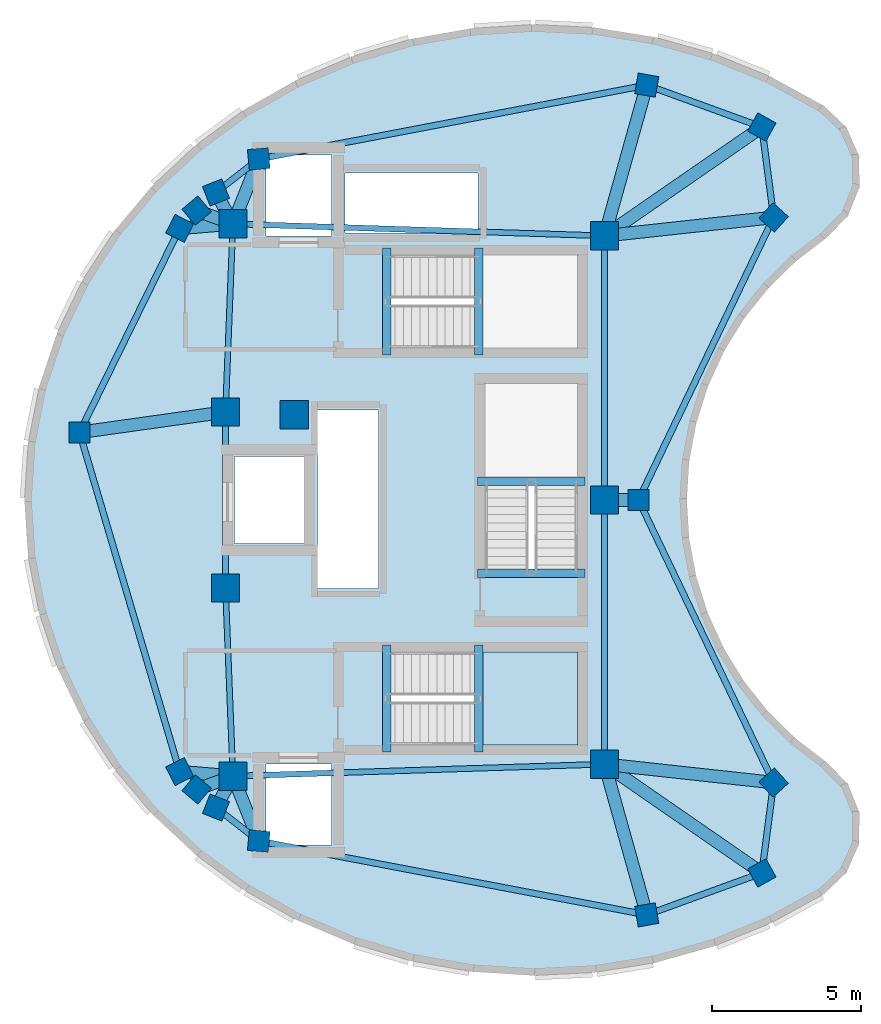
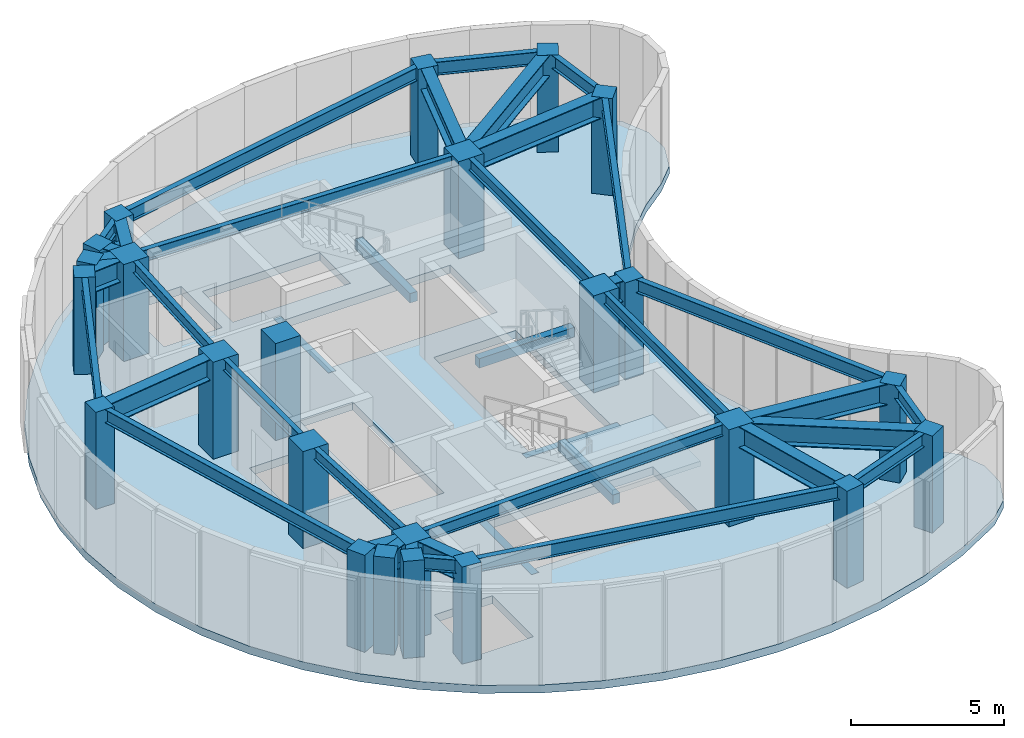
# One storey, part 1 of 5: 41 beams, 24 columns, 2 slabs, 1 element without a shape of its own.
"""IFC4 building model written with IfcOpenShell, lengths in metres."""

from ifc_helpers import new_model, si_unit, direction, frame, origin, origin_2d, place, context, subcontext, project, spatial, polyline, rectangle, i_section, outline, extrude, material, layer, layer_set, material_profile, profile_set, type_object, element, aggregate, save


model = new_model("IFC4")

# Units and contexts
model_context = context("Model", 3, precision=1e-05, world=origin(), true_north=direction((0.0, 1.0)))
body_context = subcontext(model_context, "Body", "Model", "MODEL_VIEW")
ifc_project = project(units=[si_unit("LENGTHUNIT", "METRE"), si_unit("AREAUNIT", "SQUARE_METRE"), si_unit("VOLUMEUNIT", "CUBIC_METRE"), si_unit("PLANEANGLEUNIT", "RADIAN"), si_unit("MASSUNIT", "GRAM", prefix="KILO")], contexts=[model_context])

# Site, building, storey
site_placement = place(None, origin())
site = spatial("IfcSite", under=ifc_project, at=site_placement, CompositionType="ELEMENT")
building_placement = place(site_placement, origin())
building = spatial("IfcBuilding", under=site, at=building_placement, Name="Korentha Bioscience Tower", CompositionType="ELEMENT")
storey_placement = place(building_placement, frame((0.0, 0.0, 335.39990234375)))
storey = spatial("IfcBuildingStorey", under=building, at=storey_placement, Name="L77", CompositionType="ELEMENT", Elevation=335.39990234375)

# Columns
ifc_material_1 = material(Name="Concrete C65", Category="concrete")
ifc_material_profile_1 = material_profile(ifc_material_1, rectangle(XDim=0.949951171875, YDim=0.949951171875, at=origin_2d()), Name="Concrete C65")
ifc_profile_set_1 = profile_set([ifc_material_profile_1], Name="Concrete C65 (COL-CP09)")
column_type_1 = type_object("IfcColumnType", Name="Core Pilaster Column RC 950x950", PredefinedType="PILASTER", material=ifc_profile_set_1)
for number, where, z_axis, x_axis, name in (
    (1, (37.550048828125, 35.85009765625, -0.00048828125), (0.0, 0.0, 1.0), (1.0, 0.0, 0.0), "L77 Core Pilaster CP-01"),
    (2, (25.10009765625, 36.25, -0.00048828125), (0.0, 0.0, 1.0), (1.0, 0.0, 0.0), "L77 Core Pilaster CP-02"),
    (3, (24.85009765625, 29.949951171875, -0.00048828125), (0.0, 0.0, 1.0), (1.0, 0.0, 0.0), "L77 Core Pilaster CP-03"),
    (4, (27.14990234375, 29.85009765625, -0.00048828125), (0.0, 0.0, 1.0), (1.0, 0.0, 0.0), "L77 Core Pilaster CP-04"),
    (5, (24.85009765625, 24.050048828125, -0.00048828125), (0.0, 0.0, 1.0), (1.0, 0.0, 0.0), "L77 Core Pilaster CP-05"),
    (6, (25.10009765625, 17.75, -0.00048828125), (0.0, 0.0, 1.0), (1.0, 0.0, 0.0), "L77 Core Pilaster CP-06"),
    (7, (37.550048828125, 18.14990234375, -0.00048828125), (0.0, 0.0, 1.0), (1.0, 0.0, 0.0), "L77 Core Pilaster CP-07"),
    (8, (37.550048828125, 27.0, -0.00048828125), (0.0, 0.0, 1.0), (1.0, 0.0, 0.0), "L77 Core Pilaster CP-08"),
):
    element("IfcColumn", number, at=place(storey_placement, frame(where, z_axis=z_axis, x_axis=x_axis)), inside=storey, type_object=column_type_1, Name=name, PredefinedType="PILASTER", context=body_context, shape_type="SweptSolid", body=[
        extrude(rectangle(XDim=0.949951171875, YDim=0.949951171875, at=origin_2d()), origin(), (0.0, 0.0, 1.0), 3.881103515625),
    ])
ifc_material_2 = material(Name="Concrete C50", Category="concrete")
ifc_material_profile_2 = material_profile(ifc_material_2, rectangle(XDim=0.699951171875, YDim=0.699951171875, at=origin_2d()), Name="Concrete C50")
ifc_profile_set_2 = profile_set([ifc_material_profile_2], Name="Concrete C50 (COL-P07)")
column_type_2 = type_object("IfcColumnType", Name="Perimeter Column RC 700x700", PredefinedType="COLUMN", material=ifc_profile_set_2)
for number, where, z_axis, x_axis, name in (
    (9, (42.8193359375, 39.493896484375, -0.00048828125), (0.0, 0.0, 1.0), (-0.874535078577, 0.484962262797, 0.0), "L77 Perimeter Column 01"),
    (10, (38.962646484375, 40.898193359375, -0.00048828125), (0.0, 0.0, 1.0), (-0.984868307662, 0.173304404339, 0.0), "L77 Perimeter Column 02"),
    (11, (25.9658203125, 38.424560546875, -0.00048828125), (0.0, 0.0, 1.0), (0.995462868748, 0.095150811579, 0.0), "L77 Perimeter Column 03"),
    (12, (24.53271484375, 37.302490234375, -0.00048828125), (0.0, 0.0, 1.0), (0.930225540858, 0.366988341962, 0.0), "L77 Perimeter Column 04"),
    (13, (23.883056640625, 36.6953125, -0.00048828125), (0.0, 0.0, 1.0), (0.764246456939, 0.644924300253, 0.0), "L77 Perimeter Column 05"),
    (14, (23.314697265625, 36.097900390625, -0.00048828125), (0.0, 0.0, 1.0), (0.453057191132, 0.891481453292, 0.0), "L77 Perimeter Column 06"),
    (15, (19.96044921875, 29.26416015625, -0.00048828125), (0.0, 0.0, 1.0), (0.0, 1.0, 0.0), "L77 Perimeter Column 07"),
    (16, (23.314697265625, 17.902099609375, -0.00048828125), (0.0, 0.0, 1.0), (-0.453057191132, 0.891481453292, 0.0), "L77 Perimeter Column 08"),
    (17, (23.883056640625, 17.3046875, -0.00048828125), (0.0, 0.0, 1.0), (-0.764246456939, 0.644924300253, 0.0), "L77 Perimeter Column 09"),
    (18, (24.53271484375, 16.697509765625, -0.00048828125), (0.0, 0.0, 1.0), (-0.930225540858, 0.366988341962, 0.0), "L77 Perimeter Column 10"),
    (19, (25.9658203125, 15.575439453125, -0.00048828125), (0.0, 0.0, 1.0), (-0.995462868748, 0.095150811579, 0.0), "L77 Perimeter Column 11"),
    (20, (38.962646484375, 13.101806640625, -0.00048828125), (0.0, 0.0, 1.0), (0.984868307662, 0.173304404339, 0.0), "L77 Perimeter Column 12"),
    (21, (42.8193359375, 14.506103515625, -0.00048828125), (0.0, 0.0, 1.0), (0.874535078577, 0.484962262797, 0.0), "L77 Perimeter Column 13"),
    (22, (43.214111328125, 17.532958984375, -0.00048828125), (0.0, 0.0, 1.0), (-0.669130606359, 0.743144825477, 0.0), "L77 Perimeter Column 14"),
    (23, (38.6865234375, 27.0, -0.00048828125), (0.0, 0.0, 1.0), (0.0, 1.0, 0.0), "L77 Perimeter Column 15"),
    (24, (43.214111328125, 36.467041015625, -0.00048828125), (0.0, 0.0, 1.0), (0.669130606359, 0.743144825477, 0.0), "L77 Perimeter Column 16"),
):
    element("IfcColumn", number, at=place(storey_placement, frame(where, z_axis=z_axis, x_axis=x_axis)), inside=storey, type_object=column_type_2, Name=name, PredefinedType="COLUMN", context=body_context, shape_type="SweptSolid", body=[
        extrude(rectangle(XDim=0.699951171875, YDim=0.699951171875, at=origin_2d()), origin(), (0.0, 0.0, 1.0), 3.881103515625),
    ])

# Beams
ifc_material_profile_3 = material_profile(ifc_material_2, rectangle(XDim=0.280029296875, YDim=0.3798828125, at=origin_2d()), Name="Concrete C50")
ifc_profile_set_3 = profile_set([ifc_material_profile_3], Name="Concrete C50 (ST-HB380)")
beam_type_1 = type_object("IfcBeamType", Name="Concrete Stair Header Beam RC 280x380", PredefinedType="BEAM", material=ifc_profile_set_3)
for number, where, z_axis, x_axis, name in (
    (25, (30.25, 31.85009765625, -0.18994140625), (0.0, 1.0, 0.0), (-1.0, 0.0, 0.0), "L77 ST-1 Concrete Stair Header Beam"),
    (26, (33.330078125, 31.85009765625, 1.91015625), (0.0, 1.0, 0.0), (-1.0, 0.0, 0.0), "L77 ST-1 Half-Landing Header Beam 1"),
    (27, (30.25, 18.550048828125, -0.18994140625), (0.0, 1.0, 0.0), (-1.0, 0.0, 0.0), "L77 ST-2 Concrete Stair Header Beam"),
    (28, (33.330078125, 18.550048828125, 1.91015625), (0.0, 1.0, 0.0), (-1.0, 0.0, 0.0), "L77 ST-2 Half-Landing Header Beam 1"),
    (29, (36.89990234375, 24.550048828125, -0.18994140625), (-1.0, 0.0, 0.0), (0.0, -1.0, 0.0), "L77 ST-3 Concrete Stair Header Beam"),
    (30, (36.89990234375, 27.6298828125, 1.91015625), (-1.0, 0.0, 0.0), (0.0, -1.0, 0.0), "L77 ST-3 Half-Landing Header Beam 1"),
):
    element("IfcBeam", number, at=place(storey_placement, frame(where, z_axis=z_axis, x_axis=x_axis)), inside=storey, type_object=beam_type_1, Name=name, PredefinedType="BEAM", context=body_context, shape_type="SweptSolid", body=[
        extrude(rectangle(XDim=0.280029296875, YDim=0.3798828125, at=origin_2d()), origin(), (0.0, 0.0, 1.0), 3.599853515625),
    ])
ifc_material_3 = material(Name="Steel S355", Category="steel")
ifc_material_profile_4 = material_profile(ifc_material_3, i_section(OverallWidth=0.18994140625, OverallDepth=0.45703125, WebThickness=0.009033203125, FlangeThickness=0.014404296875, at=origin_2d()), Name="Steel S355")
ifc_profile_set_4 = profile_set([ifc_material_profile_4], Name="Steel S355 (MB-460)")
beam_type_2 = type_object("IfcBeamType", Name="Mid-Ring Tie Girder W460x74", PredefinedType="BEAM", material=ifc_profile_set_4)
beam_1_placement = place(storey_placement, frame((37.550048828125, 35.85009765625, 3.651611328125), z_axis=(-0.999484526071, 0.032104238723, 0.0), x_axis=(-0.032104238723, -0.999484526071, 0.0)))
element("IfcBeam", 31, at=beam_1_placement, inside=storey, type_object=beam_type_2, Name="L77 Core Ring Tie Girder 01", PredefinedType="BEAM", context=body_context, shape_type="SweptSolid", body=[
    extrude(i_section(OverallWidth=0.18994140625, OverallDepth=0.45703125, WebThickness=0.009033203125, FlangeThickness=0.014404296875, at=origin_2d()), origin(), (0.0, 0.0, 1.0), 12.456298828125),
])
beam_2_placement = place(storey_placement, frame((25.10009765625, 36.25, 3.651611328125), z_axis=(-0.039651025576, -0.999213588864, 0.0), x_axis=(0.999213588864, -0.039651025576, 0.0)))
element("IfcBeam", 32, at=beam_2_placement, inside=storey, type_object=beam_type_2, Name="L77 Core Ring Tie Girder 02", PredefinedType="BEAM", context=body_context, shape_type="SweptSolid", body=[
    extrude(i_section(OverallWidth=0.18994140625, OverallDepth=0.45703125, WebThickness=0.009033203125, FlangeThickness=0.014404296875, at=origin_2d()), origin(), (0.0, 0.0, 1.0), 6.304931640625),
])
beam_3_placement = place(storey_placement, frame((24.85009765625, 29.949951171875, 3.651611328125), z_axis=(0.0, -1.0, 0.0), x_axis=(1.0, 0.0, 0.0)))
element("IfcBeam", 33, at=beam_3_placement, inside=storey, type_object=beam_type_2, Name="L77 Core Ring Tie Girder 03", PredefinedType="BEAM", context=body_context, shape_type="SweptSolid", body=[
    extrude(i_section(OverallWidth=0.18994140625, OverallDepth=0.45703125, WebThickness=0.009033203125, FlangeThickness=0.014404296875, at=origin_2d()), origin(), (0.0, 0.0, 1.0), 5.89990234375),
])
beam_4_placement = place(storey_placement, frame((24.85009765625, 24.050048828125, 3.651611328125), z_axis=(0.039651025576, -0.999213588864, 0.0), x_axis=(0.999213588864, 0.039651025576, 0.0)))
element("IfcBeam", 34, at=beam_4_placement, inside=storey, type_object=beam_type_2, Name="L77 Core Ring Tie Girder 04", PredefinedType="BEAM", context=body_context, shape_type="SweptSolid", body=[
    extrude(i_section(OverallWidth=0.18994140625, OverallDepth=0.45703125, WebThickness=0.009033203125, FlangeThickness=0.014404296875, at=origin_2d()), origin(), (0.0, 0.0, 1.0), 6.304931640625),
])
beam_5_placement = place(storey_placement, frame((25.10009765625, 17.75, 3.651611328125), z_axis=(0.999484526071, 0.032104238723, 0.0), x_axis=(-0.032104238723, 0.999484526071, 0.0)))
element("IfcBeam", 35, at=beam_5_placement, inside=storey, type_object=beam_type_2, Name="L77 Core Ring Tie Girder 05", PredefinedType="BEAM", context=body_context, shape_type="SweptSolid", body=[
    extrude(i_section(OverallWidth=0.18994140625, OverallDepth=0.45703125, WebThickness=0.009033203125, FlangeThickness=0.014404296875, at=origin_2d()), origin(), (0.0, 0.0, 1.0), 12.456298828125),
])
for number, where, z_axis, x_axis, name in (
    (36, (37.550048828125, 18.14990234375, 3.651611328125), (0.0, 1.0, 0.0), (-1.0, 0.0, 0.0), "L77 Core Ring Tie Girder 06"),
    (37, (37.550048828125, 27.0, 3.651611328125), (0.0, 1.0, 0.0), (-1.0, 0.0, 0.0), "L77 Core Ring Tie Girder 07"),
):
    element("IfcBeam", number, at=place(storey_placement, frame(where, z_axis=z_axis, x_axis=x_axis)), inside=storey, type_object=beam_type_2, Name=name, PredefinedType="BEAM", context=body_context, shape_type="SweptSolid", body=[
        extrude(i_section(OverallWidth=0.18994140625, OverallDepth=0.45703125, WebThickness=0.009033203125, FlangeThickness=0.014404296875, at=origin_2d()), origin(), (0.0, 0.0, 1.0), 8.85009765625),
    ])
ifc_material_profile_5 = material_profile(ifc_material_3, i_section(OverallWidth=0.208984375, OverallDepth=0.532958984375, WebThickness=0.01025390625, FlangeThickness=0.015625, at=origin_2d()), Name="Steel S355")
ifc_profile_set_5 = profile_set([ifc_material_profile_5], Name="Steel S355 (SB-530)")
beam_type_3 = type_object("IfcBeamType", Name="Perimeter Ring Spandrel Girder W530x92", PredefinedType="SPANDREL", material=ifc_profile_set_5)
beam_6_placement = place(storey_placement, frame((42.8193359375, 39.493896484375, 3.613525390625), z_axis=(-0.939647453399, 0.342144214215, 0.0), x_axis=(-0.342144214215, -0.939647453399, 0.0)))
element("IfcBeam", 38, at=beam_6_placement, inside=storey, type_object=beam_type_3, Name="L77 Perimeter Spandrel Girder 01", PredefinedType="SPANDREL", context=body_context, shape_type="SweptSolid", body=[
    extrude(i_section(OverallWidth=0.208984375, OverallDepth=0.532958984375, WebThickness=0.01025390625, FlangeThickness=0.015625, at=origin_2d()), origin(), (0.0, 0.0, 1.0), 4.1044921875),
])
beam_7_placement = place(storey_placement, frame((38.962646484375, 40.898193359375, 3.613525390625), z_axis=(-0.982365691041, -0.186969647443, 0.0), x_axis=(0.186969647443, -0.982365691041, 0.0)))
element("IfcBeam", 39, at=beam_7_placement, inside=storey, type_object=beam_type_3, Name="L77 Perimeter Spandrel Girder 02", PredefinedType="SPANDREL", context=body_context, shape_type="SweptSolid", body=[
    extrude(i_section(OverallWidth=0.208984375, OverallDepth=0.532958984375, WebThickness=0.01025390625, FlangeThickness=0.015625, at=origin_2d()), origin(), (0.0, 0.0, 1.0), 13.230224609375),
])
beam_8_placement = place(storey_placement, frame((25.9658203125, 38.424560546875, 3.613525390625), z_axis=(-0.787369117688, -0.616481850919, 0.0), x_axis=(0.616481850919, -0.787369117688, 0.0)))
element("IfcBeam", 40, at=beam_8_placement, inside=storey, type_object=beam_type_3, Name="L77 Perimeter Spandrel Girder 03", PredefinedType="SPANDREL", context=body_context, shape_type="SweptSolid", body=[
    extrude(i_section(OverallWidth=0.208984375, OverallDepth=0.532958984375, WebThickness=0.01025390625, FlangeThickness=0.015625, at=origin_2d()), origin(), (0.0, 0.0, 1.0), 1.820068359375),
])
beam_9_placement = place(storey_placement, frame((23.314697265625, 36.097900390625, 3.613525390625), z_axis=(-0.440620564401, -0.897693443346, 0.0), x_axis=(0.897693443346, -0.440620564401, 0.0)))
element("IfcBeam", 41, at=beam_9_placement, inside=storey, type_object=beam_type_3, Name="L77 Perimeter Spandrel Girder 06", PredefinedType="SPANDREL", context=body_context, shape_type="SweptSolid", body=[
    extrude(i_section(OverallWidth=0.208984375, OverallDepth=0.532958984375, WebThickness=0.01025390625, FlangeThickness=0.015625, at=origin_2d()), origin(), (0.0, 0.0, 1.0), 7.612548828125),
])
beam_10_placement = place(storey_placement, frame((19.96044921875, 29.26416015625, 3.613525390625), z_axis=(0.283134629469, -0.959080174748, 0.0), x_axis=(0.959080174748, 0.283134629469, 0.0)))
element("IfcBeam", 42, at=beam_10_placement, inside=storey, type_object=beam_type_3, Name="L77 Perimeter Spandrel Girder 07", PredefinedType="SPANDREL", context=body_context, shape_type="SweptSolid", body=[
    extrude(i_section(OverallWidth=0.208984375, OverallDepth=0.532958984375, WebThickness=0.01025390625, FlangeThickness=0.015625, at=origin_2d()), origin(), (0.0, 0.0, 1.0), 11.846923828125),
])
beam_11_placement = place(storey_placement, frame((24.53271484375, 16.697509765625, 3.613525390625), z_axis=(0.787369117688, -0.616481850919, 0.0), x_axis=(0.616481850919, 0.787369117688, 0.0)))
element("IfcBeam", 43, at=beam_11_placement, inside=storey, type_object=beam_type_3, Name="L77 Perimeter Spandrel Girder 10", PredefinedType="SPANDREL", context=body_context, shape_type="SweptSolid", body=[
    extrude(i_section(OverallWidth=0.208984375, OverallDepth=0.532958984375, WebThickness=0.01025390625, FlangeThickness=0.015625, at=origin_2d()), origin(), (0.0, 0.0, 1.0), 1.820068359375),
])
beam_12_placement = place(storey_placement, frame((25.9658203125, 15.575439453125, 3.613525390625), z_axis=(0.982365691041, -0.186969647443, 0.0), x_axis=(0.186969647443, 0.982365691041, 0.0)))
element("IfcBeam", 44, at=beam_12_placement, inside=storey, type_object=beam_type_3, Name="L77 Perimeter Spandrel Girder 11", PredefinedType="SPANDREL", context=body_context, shape_type="SweptSolid", body=[
    extrude(i_section(OverallWidth=0.208984375, OverallDepth=0.532958984375, WebThickness=0.01025390625, FlangeThickness=0.015625, at=origin_2d()), origin(), (0.0, 0.0, 1.0), 13.230224609375),
])
beam_13_placement = place(storey_placement, frame((38.962646484375, 13.101806640625, 3.613525390625), z_axis=(0.939647453399, 0.342144214215, 0.0), x_axis=(-0.342144214215, 0.939647453399, 0.0)))
element("IfcBeam", 45, at=beam_13_placement, inside=storey, type_object=beam_type_3, Name="L77 Perimeter Spandrel Girder 12", PredefinedType="SPANDREL", context=body_context, shape_type="SweptSolid", body=[
    extrude(i_section(OverallWidth=0.208984375, OverallDepth=0.532958984375, WebThickness=0.01025390625, FlangeThickness=0.015625, at=origin_2d()), origin(), (0.0, 0.0, 1.0), 4.1044921875),
])
beam_14_placement = place(storey_placement, frame((42.8193359375, 14.506103515625, 3.613525390625), z_axis=(0.129328926302, 0.991601749102, 0.0), x_axis=(-0.991601749102, 0.129328926302, 0.0)))
element("IfcBeam", 46, at=beam_14_placement, inside=storey, type_object=beam_type_3, Name="L77 Perimeter Spandrel Girder 13", PredefinedType="SPANDREL", context=body_context, shape_type="SweptSolid", body=[
    extrude(i_section(OverallWidth=0.208984375, OverallDepth=0.532958984375, WebThickness=0.01025390625, FlangeThickness=0.015625, at=origin_2d()), origin(), (0.0, 0.0, 1.0), 3.052490234375),
])
for number, where, z_axis, x_axis, name in (
    (47, (43.214111328125, 17.532958984375, 3.613525390625), (-0.431445618688, 0.902138946124, 0.0), (-0.902138946124, -0.431445618688, 0.0), "L77 Perimeter Spandrel Girder 14"),
    (48, (38.6865234375, 27.0, 3.613525390625), (0.431445618688, 0.902138946124, 0.0), (-0.902138946124, 0.431445618688, 0.0), "L77 Perimeter Spandrel Girder 15"),
):
    element("IfcBeam", number, at=place(storey_placement, frame(where, z_axis=z_axis, x_axis=x_axis)), inside=storey, type_object=beam_type_3, Name=name, PredefinedType="SPANDREL", context=body_context, shape_type="SweptSolid", body=[
        extrude(i_section(OverallWidth=0.208984375, OverallDepth=0.532958984375, WebThickness=0.01025390625, FlangeThickness=0.015625, at=origin_2d()), origin(), (0.0, 0.0, 1.0), 10.493896484375),
    ])
beam_15_placement = place(storey_placement, frame((43.214111328125, 36.467041015625, 3.613525390625), z_axis=(-0.129328926302, 0.991601749102, 0.0), x_axis=(-0.991601749102, -0.129328926302, 0.0)))
element("IfcBeam", 49, at=beam_15_placement, inside=storey, type_object=beam_type_3, Name="L77 Perimeter Spandrel Girder 16", PredefinedType="SPANDREL", context=body_context, shape_type="SweptSolid", body=[
    extrude(i_section(OverallWidth=0.208984375, OverallDepth=0.532958984375, WebThickness=0.01025390625, FlangeThickness=0.015625, at=origin_2d()), origin(), (0.0, 0.0, 1.0), 3.052490234375),
])
ifc_material_profile_6 = material_profile(ifc_material_3, i_section(OverallWidth=0.419921875, OverallDepth=0.85009765625, WebThickness=0.01806640625, FlangeThickness=0.031982421875, at=origin_2d()), Name="Steel S355")
ifc_profile_set_6 = profile_set([ifc_material_profile_6], Name="Steel S355 (MB-850)")
beam_type_4 = type_object("IfcBeamType", Name="Plant Heavy Girder CVS 850x315", PredefinedType="BEAM", material=ifc_profile_set_6)
beam_16_placement = place(storey_placement, frame((37.550048828125, 35.85009765625, 3.455078125), z_axis=(0.822496637408, 0.568769972354, 0.0), x_axis=(-0.568769972354, 0.822496637408, 0.0)))
element("IfcBeam", 50, at=beam_16_placement, inside=storey, type_object=beam_type_4, Name="L77 Radial Girder 01", PredefinedType="BEAM", context=body_context, shape_type="SweptSolid", body=[
    extrude(i_section(OverallWidth=0.419921875, OverallDepth=0.85009765625, WebThickness=0.01806640625, FlangeThickness=0.031982421875, at=origin_2d()), origin(), (0.0, 0.0, 1.0), 6.406494140625),
])
beam_17_placement = place(storey_placement, frame((37.550048828125, 35.85009765625, 3.455078125), z_axis=(0.269476173168, 0.963007057137, 0.0), x_axis=(-0.963007057137, 0.269476173168, 0.0)))
element("IfcBeam", 51, at=beam_17_placement, inside=storey, type_object=beam_type_4, Name="L77 Radial Girder 02", PredefinedType="BEAM", context=body_context, shape_type="SweptSolid", body=[
    extrude(i_section(OverallWidth=0.419921875, OverallDepth=0.85009765625, WebThickness=0.01806640625, FlangeThickness=0.031982421875, at=origin_2d()), origin(), (0.0, 0.0, 1.0), 5.241943359375),
])
beam_18_placement = place(storey_placement, frame((25.10009765625, 36.25, 3.455078125), z_axis=(0.369879503553, 0.929079734389, 0.0), x_axis=(-0.929079734389, 0.369879503553, 0.0)))
element("IfcBeam", 52, at=beam_18_placement, inside=storey, type_object=beam_type_4, Name="L77 Radial Girder 03", PredefinedType="BEAM", context=body_context, shape_type="SweptSolid", body=[
    extrude(i_section(OverallWidth=0.419921875, OverallDepth=0.85009765625, WebThickness=0.01806640625, FlangeThickness=0.031982421875, at=origin_2d()), origin(), (0.0, 0.0, 1.0), 2.340576171875),
])
beam_19_placement = place(storey_placement, frame((25.10009765625, 36.25, 3.455078125), z_axis=(-0.474525933434, 0.880241522821, 0.0), x_axis=(-0.880241522821, -0.474525933434, 0.0)))
element("IfcBeam", 53, at=beam_19_placement, inside=storey, type_object=beam_type_4, Name="L77 Radial Girder 04", PredefinedType="BEAM", context=body_context, shape_type="SweptSolid", body=[
    extrude(i_section(OverallWidth=0.419921875, OverallDepth=0.85009765625, WebThickness=0.01806640625, FlangeThickness=0.031982421875, at=origin_2d()), origin(), (0.0, 0.0, 1.0), 1.19580078125),
])
beam_20_placement = place(storey_placement, frame((25.10009765625, 36.25, 3.455078125), z_axis=(-0.939109508152, 0.343618002582, 0.0), x_axis=(-0.343618002582, -0.939109508152, 0.0)))
element("IfcBeam", 54, at=beam_20_placement, inside=storey, type_object=beam_type_4, Name="L77 Radial Girder 05", PredefinedType="BEAM", context=body_context, shape_type="SweptSolid", body=[
    extrude(i_section(OverallWidth=0.419921875, OverallDepth=0.85009765625, WebThickness=0.01806640625, FlangeThickness=0.031982421875, at=origin_2d()), origin(), (0.0, 0.0, 1.0), 1.2958984375),
])
beam_21_placement = place(storey_placement, frame((25.10009765625, 36.25, 3.455078125), z_axis=(-0.996390900378, -0.084883294262, 0.0), x_axis=(0.084883294262, -0.996390900378, 0.0)))
element("IfcBeam", 55, at=beam_21_placement, inside=storey, type_object=beam_type_4, Name="L77 Radial Girder 06", PredefinedType="BEAM", context=body_context, shape_type="SweptSolid", body=[
    extrude(i_section(OverallWidth=0.419921875, OverallDepth=0.85009765625, WebThickness=0.01806640625, FlangeThickness=0.031982421875, at=origin_2d()), origin(), (0.0, 0.0, 1.0), 1.791748046875),
])
beam_22_placement = place(storey_placement, frame((24.85009765625, 29.949951171875, 3.455078125), z_axis=(-0.990307225946, -0.138894198007, 0.0), x_axis=(0.138894198007, -0.990307225946, 0.0)))
element("IfcBeam", 56, at=beam_22_placement, inside=storey, type_object=beam_type_4, Name="L77 Radial Girder 07", PredefinedType="BEAM", context=body_context, shape_type="SweptSolid", body=[
    extrude(i_section(OverallWidth=0.419921875, OverallDepth=0.85009765625, WebThickness=0.01806640625, FlangeThickness=0.031982421875, at=origin_2d()), origin(), (0.0, 0.0, 1.0), 4.9375),
])
beam_23_placement = place(storey_placement, frame((25.10009765625, 17.75, 3.455078125), z_axis=(-0.996390900378, 0.084883294262, 0.0), x_axis=(-0.084883294262, -0.996390900378, 0.0)))
element("IfcBeam", 57, at=beam_23_placement, inside=storey, type_object=beam_type_4, Name="L77 Radial Girder 08", PredefinedType="BEAM", context=body_context, shape_type="SweptSolid", body=[
    extrude(i_section(OverallWidth=0.419921875, OverallDepth=0.85009765625, WebThickness=0.01806640625, FlangeThickness=0.031982421875, at=origin_2d()), origin(), (0.0, 0.0, 1.0), 1.791748046875),
])
beam_24_placement = place(storey_placement, frame((25.10009765625, 17.75, 3.455078125), z_axis=(-0.939109508152, -0.343618002582, 0.0), x_axis=(0.343618002582, -0.939109508152, 0.0)))
element("IfcBeam", 58, at=beam_24_placement, inside=storey, type_object=beam_type_4, Name="L77 Radial Girder 09", PredefinedType="BEAM", context=body_context, shape_type="SweptSolid", body=[
    extrude(i_section(OverallWidth=0.419921875, OverallDepth=0.85009765625, WebThickness=0.01806640625, FlangeThickness=0.031982421875, at=origin_2d()), origin(), (0.0, 0.0, 1.0), 1.2958984375),
])
beam_25_placement = place(storey_placement, frame((25.10009765625, 17.75, 3.455078125), z_axis=(-0.474525933434, -0.880241522821, 0.0), x_axis=(0.880241522821, -0.474525933434, 0.0)))
element("IfcBeam", 59, at=beam_25_placement, inside=storey, type_object=beam_type_4, Name="L77 Radial Girder 10", PredefinedType="BEAM", context=body_context, shape_type="SweptSolid", body=[
    extrude(i_section(OverallWidth=0.419921875, OverallDepth=0.85009765625, WebThickness=0.01806640625, FlangeThickness=0.031982421875, at=origin_2d()), origin(), (0.0, 0.0, 1.0), 1.19580078125),
])
beam_26_placement = place(storey_placement, frame((25.10009765625, 17.75, 3.455078125), z_axis=(0.369879503553, -0.929079734389, 0.0), x_axis=(0.929079734389, 0.369879503553, 0.0)))
element("IfcBeam", 60, at=beam_26_placement, inside=storey, type_object=beam_type_4, Name="L77 Radial Girder 11", PredefinedType="BEAM", context=body_context, shape_type="SweptSolid", body=[
    extrude(i_section(OverallWidth=0.419921875, OverallDepth=0.85009765625, WebThickness=0.01806640625, FlangeThickness=0.031982421875, at=origin_2d()), origin(), (0.0, 0.0, 1.0), 2.340576171875),
])
beam_27_placement = place(storey_placement, frame((37.550048828125, 18.14990234375, 3.455078125), z_axis=(0.269476173168, -0.963007057137, 0.0), x_axis=(0.963007057137, 0.269476173168, 0.0)))
element("IfcBeam", 61, at=beam_27_placement, inside=storey, type_object=beam_type_4, Name="L77 Radial Girder 12", PredefinedType="BEAM", context=body_context, shape_type="SweptSolid", body=[
    extrude(i_section(OverallWidth=0.419921875, OverallDepth=0.85009765625, WebThickness=0.01806640625, FlangeThickness=0.031982421875, at=origin_2d()), origin(), (0.0, 0.0, 1.0), 5.241943359375),
])
beam_28_placement = place(storey_placement, frame((37.550048828125, 18.14990234375, 3.455078125), z_axis=(0.822496637408, -0.568769972354, 0.0), x_axis=(0.568769972354, 0.822496637408, 0.0)))
element("IfcBeam", 62, at=beam_28_placement, inside=storey, type_object=beam_type_4, Name="L77 Radial Girder 13", PredefinedType="BEAM", context=body_context, shape_type="SweptSolid", body=[
    extrude(i_section(OverallWidth=0.419921875, OverallDepth=0.85009765625, WebThickness=0.01806640625, FlangeThickness=0.031982421875, at=origin_2d()), origin(), (0.0, 0.0, 1.0), 6.406494140625),
])
beam_29_placement = place(storey_placement, frame((37.550048828125, 18.14990234375, 3.455078125), z_axis=(0.994120221144, -0.108281974088, 0.0), x_axis=(0.108281974088, 0.994120221144, 0.0)))
element("IfcBeam", 63, at=beam_29_placement, inside=storey, type_object=beam_type_4, Name="L77 Radial Girder 14", PredefinedType="BEAM", context=body_context, shape_type="SweptSolid", body=[
    extrude(i_section(OverallWidth=0.419921875, OverallDepth=0.85009765625, WebThickness=0.01806640625, FlangeThickness=0.031982421875, at=origin_2d()), origin(), (0.0, 0.0, 1.0), 5.697509765625),
])
beam_30_placement = place(storey_placement, frame((37.550048828125, 27.0, 3.455078125), z_axis=(1.0, 0.0, 0.0), x_axis=(0.0, 1.0, 0.0)))
element("IfcBeam", 64, at=beam_30_placement, inside=storey, type_object=beam_type_4, Name="L77 Radial Girder 15", PredefinedType="BEAM", context=body_context, shape_type="SweptSolid", body=[
    extrude(i_section(OverallWidth=0.419921875, OverallDepth=0.85009765625, WebThickness=0.01806640625, FlangeThickness=0.031982421875, at=origin_2d()), origin(), (0.0, 0.0, 1.0), 1.136474609375),
])
beam_31_placement = place(storey_placement, frame((37.550048828125, 35.85009765625, 3.455078125), z_axis=(0.994120221144, 0.108281974088, 0.0), x_axis=(-0.108281974088, 0.994120221144, 0.0)))
element("IfcBeam", 65, at=beam_31_placement, inside=storey, type_object=beam_type_4, Name="L77 Radial Girder 16", PredefinedType="BEAM", context=body_context, shape_type="SweptSolid", body=[
    extrude(i_section(OverallWidth=0.419921875, OverallDepth=0.85009765625, WebThickness=0.01806640625, FlangeThickness=0.031982421875, at=origin_2d()), origin(), (0.0, 0.0, 1.0), 5.697509765625),
])

# Stair, slab
ifc_material_4 = material(Name="Precast Concrete C50", Category="concrete")
stair_type = type_object("IfcStairType", Name="Core Exit Dog-Leg Stair 1450", PredefinedType="HALF_TURN_STAIR", material=ifc_material_4)
stair_placement = place(storey_placement, origin())
stair = element("IfcStair", 66, at=stair_placement, inside=storey, type_object=stair_type, Name="L77 Tower South Pressurized Exit Stair ST-2", PredefinedType="HALF_TURN_STAIR")
ifc_layer_1 = layer(ifc_material_2, 0.199951171875, Name="Concrete C50")
ifc_layer_set_1 = layer_set([ifc_layer_1], Name="Concrete C50 (SL-LND)")
slab_type_1 = type_object("IfcSlabType", Name="Landing Slab 200", PredefinedType="LANDING", material=ifc_layer_set_1)
slab_1_placement = place(storey_placement, frame((0.0, 0.0, 1.900146484375)))
slab_1 = element("IfcSlab", 67, at=slab_1_placement, type_object=slab_type_1, Name="ST-2 landing 1", PredefinedType="LANDING", context=body_context, shape_type="SweptSolid", body=[
    extrude(outline(polyline([(33.330078125, 18.800048828125), (36.64990234375, 18.800048828125), (36.64990234375, 21.89990234375), (33.330078125, 21.89990234375), (33.330078125, 18.800048828125)])), origin(), (0.0, 0.0, 1.0), 0.199951171875),
])
aggregate(stair, [slab_1])

# Slab
ifc_layer_2 = layer(ifc_material_2, 0.320068359375, Name="Concrete C50")
ifc_layer_set_2 = layer_set([ifc_layer_2], Name="Concrete C50 (SL-M320)")
slab_type_2 = type_object("IfcSlabType", Name="Mechanical Plant Heavy Slab 320", PredefinedType="FLOOR", material=ifc_layer_set_2)
slab_2_placement = place(storey_placement, frame((0.0, 0.0, -0.31982421875)))
element("IfcSlab", 68, at=slab_2_placement, inside=storey, type_object=slab_type_2, Name="L77 Tower Structural Floor Slab", PredefinedType="FLOOR", context=body_context, shape_type="SweptSolid", body=[
    extrude(outline(polyline([(44.890380859375, 40.20654296875), (43.113525390625, 41.1796875), (41.2236328125, 41.947998046875), (39.248046875, 42.50048828125), (37.21533203125, 42.829345703125), (35.15478515625, 42.929443359375), (33.09619140625, 42.7998046875), (31.069091796875, 42.441650390625), (29.10302734375, 41.86083984375), (27.226318359375, 41.0654296875), (25.4658203125, 40.06689453125), (23.847412109375, 38.87939453125), (22.393798828125, 37.520751953125), (21.126708984375, 36.010009765625), (20.06396484375, 34.369384765625), (19.220947265625, 32.622314453125), (18.610107421875, 30.793701171875), (18.239990234375, 28.91064453125), (18.115966796875, 27.0), (18.239990234375, 25.08935546875), (18.610107421875, 23.206298828125), (19.220947265625, 21.377685546875), (20.06396484375, 19.630615234375), (21.126708984375, 17.989990234375), (22.393798828125, 16.479248046875), (23.847412109375, 15.12060546875), (25.4658203125, 13.93310546875), (27.226318359375, 12.9345703125), (29.10302734375, 12.13916015625), (31.069091796875, 11.558349609375), (33.09619140625, 11.2001953125), (35.15478515625, 11.070556640625), (37.21533203125, 11.170654296875), (39.248046875, 11.49951171875), (41.2236328125, 12.052001953125), (43.113525390625, 12.8203125), (44.890380859375, 13.79345703125), (45.64990234375, 14.51220703125), (46.0712890625, 15.46923828125), (46.08935546875, 16.514892578125), (45.70068359375, 17.485595703125), (44.966552734375, 18.22998046875), (43.94189453125, 19.016357421875), (43.0205078125, 19.921630859375), (42.216552734375, 20.9326171875), (41.541748046875, 22.03369140625), (41.006103515625, 23.208984375), (40.61767578125, 24.44091796875), (40.38232421875, 25.710693359375), (40.303466796875, 27.0), (40.38232421875, 28.289306640625), (40.61767578125, 29.55908203125), (41.006103515625, 30.791015625), (41.541748046875, 31.96630859375), (42.216552734375, 33.0673828125), (43.0205078125, 34.078369140625), (43.94189453125, 34.983642578125), (44.966552734375, 35.77001953125), (45.70068359375, 36.514404296875), (46.08935546875, 37.485107421875), (46.0712890625, 38.53076171875), (45.64990234375, 39.48779296875), (44.890380859375, 40.20654296875)]), holes=[polyline([(30.25, 32.10009765625), (36.64990234375, 32.10009765625), (36.64990234375, 35.199951171875), (30.25, 35.199951171875), (30.25, 32.10009765625)]), polyline([(30.25, 18.800048828125), (36.64990234375, 18.800048828125), (36.64990234375, 21.89990234375), (30.25, 21.89990234375), (30.25, 18.800048828125)]), polyline([(36.64990234375, 24.550048828125), (36.64990234375, 30.89990234375), (33.550048828125, 30.89990234375), (33.550048828125, 24.550048828125), (36.64990234375, 24.550048828125)]), polyline([(27.929931640625, 24.030029296875), (29.969970703125, 24.030029296875), (29.969970703125, 30.02001953125), (27.929931640625, 30.02001953125), (27.929931640625, 24.030029296875)]), polyline([(28.860107421875, 35.93994140625), (33.31005859375, 35.93994140625), (33.31005859375, 37.9599609375), (28.860107421875, 37.9599609375), (28.860107421875, 35.93994140625)]), polyline([(26.199951171875, 15.449951171875), (28.39990234375, 15.449951171875), (28.39990234375, 18.14990234375), (26.199951171875, 18.14990234375), (26.199951171875, 15.449951171875)]), polyline([(26.199951171875, 35.85009765625), (28.39990234375, 35.85009765625), (28.39990234375, 38.550048828125), (26.199951171875, 38.550048828125), (26.199951171875, 35.85009765625)]), polyline([(25.14990234375, 25.550048828125), (27.550048828125, 25.550048828125), (27.550048828125, 28.449951171875), (25.14990234375, 28.449951171875), (25.14990234375, 25.550048828125)])]), origin(), (0.0, 0.0, 1.0), 0.31982421875),
])

save(model, "model.ifc")
